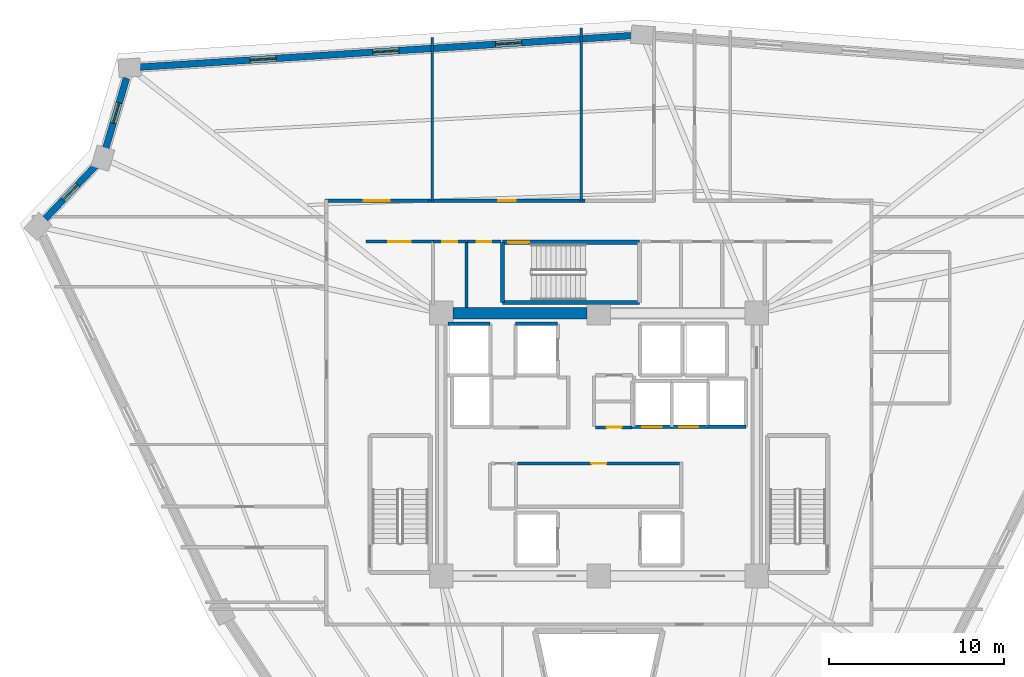
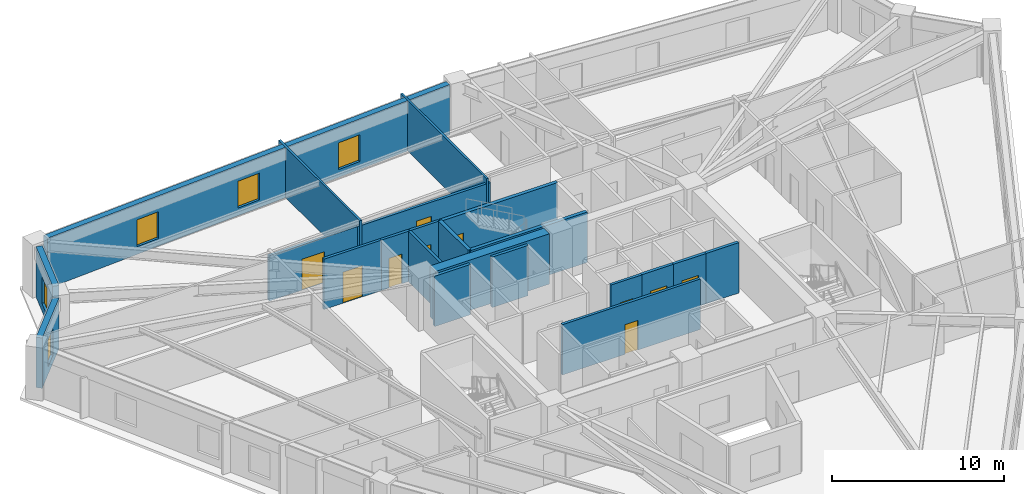
# One storey, part 5 of 8: 22 walls, 10 doors, 5 windows, 15 openings.
"""IFC4 building model written with IfcOpenShell, lengths in metres."""

from ifc_helpers import new_model, si_unit, direction, frame, frame_2d, origin, place, context, subcontext, project, spatial, rectangle, extrude, source, transform, mapped, material, layer, layer_set, type_object, element, fill, save


model = new_model("IFC4")

# Units and contexts
model_context = context("Model", 3, precision=1e-05, world=origin(), true_north=direction((0.0, 1.0)))
body_context = subcontext(model_context, "Body", "Model", "MODEL_VIEW")
ifc_project = project(units=[si_unit("LENGTHUNIT", "METRE"), si_unit("AREAUNIT", "SQUARE_METRE"), si_unit("VOLUMEUNIT", "CUBIC_METRE"), si_unit("PLANEANGLEUNIT", "RADIAN"), si_unit("MASSUNIT", "GRAM", prefix="KILO")], contexts=[model_context])

# Site, building, storey
site_placement = place(None, origin())
site = spatial("IfcSite", under=ifc_project, at=site_placement, CompositionType="ELEMENT")
building_placement = place(site_placement, origin())
building = spatial("IfcBuilding", under=site, at=building_placement, Name="Liaohun Quay Tower", CompositionType="ELEMENT")
storey_placement = place(building_placement, frame((0.0, 0.0, 247.5)))
storey = spatial("IfcBuildingStorey", under=building, at=storey_placement, Name="L64", CompositionType="ELEMENT", Elevation=247.5)

# Wall
ifc_material_1 = material(Name="Concrete C55", Category="concrete")
ifc_layer_1 = layer(ifc_material_1, 0.64990234375, Name="Concrete C55", Category="concrete")
ifc_layer_set_1 = layer_set([ifc_layer_1], Name="Concrete C55")
wall_type_1 = type_object("IfcWallType", Name="WAL-COR-Z3", PredefinedType="SHEAR", material=ifc_layer_set_1)
wall_1_placement = place(storey_placement, frame((51.675048828125, 61.5, 0.0), z_axis=(0.0, 0.0, 1.0), x_axis=(1.0, 0.0, 0.0)))
element("IfcWall", 1, at=wall_1_placement, inside=storey, type_object=wall_type_1, Name="L64 Central Core Shear Wall N-W", PredefinedType="SHEAR", context=body_context, shape_type="SweptSolid", body=[
    extrude(rectangle(XDim=7.64990234375, YDim=0.64990234375, at=frame_2d((3.824951171875, 0.0))), origin(), (0.0, 0.0, 1.0), 3.570068359375),
])

# Wall, openings, windows
ifc_material_2 = material(Name="Precast concrete C50 insulated sandwich", Category="concrete")
ifc_layer_2 = layer(ifc_material_2, 0.3798828125, Name="Precast concrete C50 insulated sandwich", Category="concrete")
ifc_layer_set_2 = layer_set([ifc_layer_2], Name="Precast concrete C50 insulated sandwich")
wall_type_2 = type_object("IfcWallType", Name="WAL-EXT-Z34", PredefinedType="SOLIDWALL", material=ifc_layer_set_2)
wall_2_placement = place(storey_placement, frame((61.85009765625, 77.3310546875, 0.0), z_axis=(0.0, 0.0, 1.0), x_axis=(-0.997946898195, -0.064046767155, 0.0)))
wall_2 = element("IfcWall", 2, at=wall_2_placement, inside=storey, type_object=wall_type_2, Name="L64 Brutalist Precast Pier Wall 07", PredefinedType="SOLIDWALL", context=body_context, shape_type="SweptSolid", body=[
    extrude(rectangle(XDim=28.07470703125, YDim=0.3798828125, at=frame_2d((14.037353515625, 0.0))), origin(), (0.0, 0.0, 1.0), 3.570068359375),
])
shared_shape_1 = source(origin(), body_context, "Body", "SweptSolid", [
    extrude(rectangle(XDim=1.5, YDim=1.89990234375, at=frame_2d((0.75, 0.949951171875))), frame((0.0, 0.199951171875, 0.0), z_axis=(0.0, -1.0, 0.0), x_axis=(1.0, 0.0, 0.0)), (0.0, 0.0, 1.0), 0.39990234375),
])
opening_1_placement = place(wall_2_placement, frame((6.26904296875, 0.0, 0.550048828125)))
opening_1 = element("IfcOpeningElement", 3, at=opening_1_placement, cuts=wall_2, Name="Opening W03", PredefinedType="OPENING", context=body_context, shape_type="MappedRepresentation", body=[
    mapped(shared_shape_1, transform((0.0, 0.0, 0.0), x_axis=(1.0, 0.0, 0.0), y_axis=(0.0, 1.0, 0.0), z_axis=(0.0, 0.0, 1.0), scale=1.0)),
])
opening_2_placement = place(wall_2_placement, frame((13.287109375, 0.0, 0.550048828125)))
opening_2 = element("IfcOpeningElement", 4, at=opening_2_placement, cuts=wall_2, Name="Opening W03", PredefinedType="OPENING", context=body_context, shape_type="MappedRepresentation", body=[
    mapped(shared_shape_1, transform((0.0, 0.0, 0.0), x_axis=(1.0, 0.0, 0.0), y_axis=(0.0, 1.0, 0.0), z_axis=(0.0, 0.0, 1.0), scale=1.0)),
])
opening_3_placement = place(wall_2_placement, frame((20.305908203125, 0.0, 0.550048828125)))
opening_3 = element("IfcOpeningElement", 5, at=opening_3_placement, cuts=wall_2, Name="Opening W03", PredefinedType="OPENING", context=body_context, shape_type="MappedRepresentation", body=[
    mapped(shared_shape_1, transform((0.0, 0.0, 0.0), x_axis=(1.0, 0.0, 0.0), y_axis=(0.0, 1.0, 0.0), z_axis=(0.0, 0.0, 1.0), scale=1.0)),
])
ifc_material_3 = material(Name="Triple Low-E argon glazing in thermally broken aluminium", Category="aluminium")
window_type_1 = type_object("IfcWindowType", Name="WIN-PUN-Z3", PartitioningType="DOUBLE_PANEL_VERTICAL", PredefinedType="WINDOW", material=ifc_material_3)
shared_shape_2 = source(origin(), body_context, "Body", "SweptSolid", [
    extrude(rectangle(XDim=1.5, YDim=1.89990234375, at=frame_2d((0.75, 0.949951171875))), frame((0.0, 0.030029296875, 0.0), z_axis=(0.0, -1.0, 0.0), x_axis=(1.0, 0.0, 0.0)), (0.0, 0.0, 1.0), 0.06005859375),
])
window_1_placement = place(opening_1_placement, origin())
window_1 = element("IfcWindow", 6, at=window_1_placement, inside=storey, type_object=window_type_1, Name="L64 Recessed Cold-Climate Punched Window 07-1", OverallHeight=1.89990234375, OverallWidth=1.5, PartitioningType="DOUBLE_PANEL_VERTICAL", PredefinedType="WINDOW", context=body_context, shape_type="MappedRepresentation", body=[
    mapped(shared_shape_2, transform((0.0, 0.0, 0.0), x_axis=(1.0, 0.0, 0.0), y_axis=(0.0, 1.0, 0.0), z_axis=(0.0, 0.0, 1.0), scale=1.0)),
])
fill(opening_1, window_1)
window_2_placement = place(opening_2_placement, origin())
window_2 = element("IfcWindow", 7, at=window_2_placement, inside=storey, type_object=window_type_1, Name="L64 Recessed Cold-Climate Punched Window 07-2", OverallHeight=1.89990234375, OverallWidth=1.5, PartitioningType="DOUBLE_PANEL_VERTICAL", PredefinedType="WINDOW", context=body_context, shape_type="MappedRepresentation", body=[
    mapped(shared_shape_2, transform((0.0, 0.0, 0.0), x_axis=(1.0, 0.0, 0.0), y_axis=(0.0, 1.0, 0.0), z_axis=(0.0, 0.0, 1.0), scale=1.0)),
])
fill(opening_2, window_2)
window_3_placement = place(opening_3_placement, origin())
window_3 = element("IfcWindow", 8, at=window_3_placement, inside=storey, type_object=window_type_1, Name="L64 Recessed Cold-Climate Punched Window 07-3", OverallHeight=1.89990234375, OverallWidth=1.5, PartitioningType="DOUBLE_PANEL_VERTICAL", PredefinedType="WINDOW", context=body_context, shape_type="MappedRepresentation", body=[
    mapped(shared_shape_2, transform((0.0, 0.0, 0.0), x_axis=(1.0, 0.0, 0.0), y_axis=(0.0, 1.0, 0.0), z_axis=(0.0, 0.0, 1.0), scale=1.0)),
])
fill(opening_3, window_3)

# Wall, opening, window
wall_3_placement = place(storey_placement, frame((33.044921875, 74.904052734375, 0.0), z_axis=(0.0, 0.0, 1.0), x_axis=(-0.282772261865, -0.959187076602, 0.0)))
wall_3 = element("IfcWall", 9, at=wall_3_placement, inside=storey, type_object=wall_type_2, Name="L64 Brutalist Precast Pier Wall 08", PredefinedType="SOLIDWALL", context=body_context, shape_type="SweptSolid", body=[
    extrude(rectangle(XDim=4.144287109375, YDim=0.3798828125, at=frame_2d((2.072265625, 0.0))), origin(), (0.0, 0.0, 1.0), 3.570068359375),
])
shared_shape_3 = source(origin(), body_context, "Body", "SweptSolid", [
    extrude(rectangle(XDim=1.199951171875, YDim=1.89990234375, at=frame_2d((0.60009765625, 0.949951171875))), frame((0.0, 0.199951171875, 0.0), z_axis=(0.0, -1.0, 0.0), x_axis=(1.0, 0.0, 0.0)), (0.0, 0.0, 1.0), 0.39990234375),
])
opening_4_placement = place(wall_3_placement, frame((1.471923828125, 0.0, 0.550048828125)))
opening_4 = element("IfcOpeningElement", 10, at=opening_4_placement, cuts=wall_3, Name="Opening W05", PredefinedType="OPENING", context=body_context, shape_type="MappedRepresentation", body=[
    mapped(shared_shape_3, transform((0.0, 0.0, 0.0), x_axis=(1.0, 0.0, 0.0), y_axis=(0.0, 1.0, 0.0), z_axis=(0.0, 0.0, 1.0), scale=1.0)),
])
ifc_material_4 = material(Name="Triple Low-E corner notch glazing", Category="glass")
window_type_2 = type_object("IfcWindowType", Name="WIN-NOTCH", PartitioningType="SINGLE_PANEL", PredefinedType="WINDOW", material=ifc_material_4)
shared_shape_4 = source(origin(), body_context, "Body", "SweptSolid", [
    extrude(rectangle(XDim=1.199951171875, YDim=1.89990234375, at=frame_2d((0.60009765625, 0.949951171875))), frame((0.0, 0.030029296875, 0.0), z_axis=(0.0, -1.0, 0.0), x_axis=(1.0, 0.0, 0.0)), (0.0, 0.0, 1.0), 0.06005859375),
])
window_4_placement = place(opening_4_placement, origin())
window_4 = element("IfcWindow", 11, at=window_4_placement, inside=storey, type_object=window_type_2, Name="L64 Corner Notch Window W05-08", OverallHeight=1.89990234375, OverallWidth=1.199951171875, PartitioningType="SINGLE_PANEL", PredefinedType="WINDOW", context=body_context, shape_type="MappedRepresentation", body=[
    mapped(shared_shape_4, transform((0.0, 0.0, 0.0), x_axis=(1.0, 0.0, 0.0), y_axis=(0.0, 1.0, 0.0), z_axis=(0.0, 0.0, 1.0), scale=1.0)),
])
fill(opening_4, window_4)

wall_4_placement = place(storey_placement, frame((31.27490234375, 69.89306640625, 0.0), z_axis=(0.0, 0.0, 1.0), x_axis=(-0.689387760278, -0.724392515131, 0.0)))
wall_4 = element("IfcWall", 12, at=wall_4_placement, inside=storey, type_object=wall_type_2, Name="L64 Brutalist Precast Pier Wall 09", PredefinedType="SOLIDWALL", context=body_context, shape_type="SweptSolid", body=[
    extrude(rectangle(XDim=4.14990234375, YDim=0.3798828125, at=frame_2d((2.074951171875, 0.0))), origin(), (0.0, 0.0, 1.0), 3.570068359375),
])
opening_5_placement = place(wall_4_placement, frame((1.47509765625, 0.0, 0.550048828125)))
opening_5 = element("IfcOpeningElement", 13, at=opening_5_placement, cuts=wall_4, Name="Opening W05", PredefinedType="OPENING", context=body_context, shape_type="MappedRepresentation", body=[
    mapped(shared_shape_3, transform((0.0, 0.0, 0.0), x_axis=(1.0, 0.0, 0.0), y_axis=(0.0, 1.0, 0.0), z_axis=(0.0, 0.0, 1.0), scale=1.0)),
])
window_5_placement = place(opening_5_placement, origin())
window_5 = element("IfcWindow", 14, at=window_5_placement, inside=storey, type_object=window_type_2, Name="L64 Corner Notch Window W05-09", OverallHeight=1.89990234375, OverallWidth=1.199951171875, PartitioningType="SINGLE_PANEL", PredefinedType="WINDOW", context=body_context, shape_type="MappedRepresentation", body=[
    mapped(shared_shape_4, transform((0.0, 0.0, 0.0), x_axis=(1.0, 0.0, 0.0), y_axis=(0.0, 1.0, 0.0), z_axis=(0.0, 0.0, 1.0), scale=1.0)),
])
fill(opening_5, window_5)

# Wall, opening, door
ifc_material_5 = material(Name="Autoclaved aerated concrete blockwork", Category="masonry")
ifc_layer_3 = layer(ifc_material_5, 0.179931640625, Name="Autoclaved aerated concrete blockwork", Category="masonry")
ifc_layer_set_3 = layer_set([ifc_layer_3], Name="Autoclaved aerated concrete blockwork")
wall_type_3 = type_object("IfcWallType", Name="WAL-PRT-COR", PredefinedType="PARTITIONING", material=ifc_layer_set_3)
wall_5_placement = place(storey_placement, frame((55.3701171875, 52.919921875, 0.0), z_axis=(0.0, 0.0, 1.0), x_axis=(1.0, 0.0, 0.0)))
wall_5 = element("IfcWall", 15, at=wall_5_placement, inside=storey, type_object=wall_type_3, Name="L64 Interior Partition Wall 001", PredefinedType="PARTITIONING", context=body_context, shape_type="SweptSolid", body=[
    extrude(rectangle(XDim=9.239990234375, YDim=0.179931640625, at=frame_2d((4.6201171875, 0.0))), origin(), (0.0, 0.0, 1.0), 3.570068359375),
])
shared_shape_5 = source(origin(), body_context, "Body", "SweptSolid", [
    extrude(rectangle(XDim=0.85009765625, YDim=2.10009765625, at=frame_2d((0.425048828125, 1.050048828125))), frame((0.0, 0.099853515625, 0.0), z_axis=(0.0, -1.0, 0.0), x_axis=(1.0, 0.0, 0.0)), (0.0, 0.0, 1.0), 0.199951171875),
])
opening_6_placement = place(wall_5_placement, frame((4.205078125, 0.0, 0.0)))
opening_6 = element("IfcOpeningElement", 16, at=opening_6_placement, cuts=wall_5, Name="Opening AD1", PredefinedType="OPENING", context=body_context, shape_type="MappedRepresentation", body=[
    mapped(shared_shape_5, transform((0.0, 0.0, 0.0), x_axis=(1.0, 0.0, 0.0), y_axis=(0.0, 1.0, 0.0), z_axis=(0.0, 0.0, 1.0), scale=1.0)),
])
ifc_material_6 = material(Name="Steel riser inspection fire door", Category="steel")
door_type_1 = type_object("IfcDoorType", Name="DOR-SHF-850", OperationType="NOTDEFINED", PredefinedType="DOOR", material=ifc_material_6)
shared_shape_6 = source(origin(), body_context, "Body", "SweptSolid", [
    extrude(rectangle(XDim=0.85009765625, YDim=2.10009765625, at=frame_2d((0.425048828125, 1.050048828125))), frame((0.0, 0.02490234375, 0.0), z_axis=(0.0, -1.0, 0.0), x_axis=(1.0, 0.0, 0.0)), (0.0, 0.0, 1.0), 0.050048828125),
])
door_1_placement = place(opening_6_placement, origin())
door_1 = element("IfcDoor", 17, at=door_1_placement, inside=storey, type_object=door_type_1, Name="L64 Core Tenant Storage and Archive Room Door", OperationType="SINGLE_SWING_LEFT", OverallHeight=2.10009765625, OverallWidth=0.85009765625, PredefinedType="DOOR", context=body_context, shape_type="MappedRepresentation", body=[
    mapped(shared_shape_6, transform((0.0, 0.0, 0.0), x_axis=(1.0, 0.0, 0.0), y_axis=(0.0, 1.0, 0.0), z_axis=(0.0, 0.0, 1.0), scale=1.0)),
])
fill(opening_6, door_1)

wall_6_placement = place(storey_placement, frame((59.81005859375, 54.97998046875, 0.0), z_axis=(0.0, 0.0, 1.0), x_axis=(1.0, 0.0, 0.0)))
wall_6 = element("IfcWall", 18, at=wall_6_placement, inside=storey, type_object=wall_type_3, Name="L64 Interior Partition Wall 003", PredefinedType="PARTITIONING", context=body_context, shape_type="SweptSolid", body=[
    extrude(rectangle(XDim=2.08984375, YDim=0.179931640625, at=frame_2d((1.044921875, 0.0))), origin(), (0.0, 0.0, 1.0), 3.570068359375),
])
opening_7_placement = place(wall_6_placement, frame((0.635009765625, 0.0, 0.0)))
opening_7 = element("IfcOpeningElement", 19, at=opening_7_placement, cuts=wall_6, Name="Opening AD1", PredefinedType="OPENING", context=body_context, shape_type="MappedRepresentation", body=[
    mapped(shared_shape_5, transform((0.0, 0.0, 0.0), x_axis=(1.0, 0.0, 0.0), y_axis=(0.0, 1.0, 0.0), z_axis=(0.0, 0.0, 1.0), scale=1.0)),
])
door_2_placement = place(opening_7_placement, origin())
door_2 = element("IfcDoor", 20, at=door_2_placement, inside=storey, type_object=door_type_1, Name="L64 Electrical Riser Room Door", OperationType="SINGLE_SWING_LEFT", OverallHeight=2.10009765625, OverallWidth=0.85009765625, PredefinedType="DOOR", context=body_context, shape_type="MappedRepresentation", body=[
    mapped(shared_shape_6, transform((0.0, 0.0, 0.0), x_axis=(1.0, 0.0, 0.0), y_axis=(0.0, 1.0, 0.0), z_axis=(0.0, 0.0, 1.0), scale=1.0)),
])
fill(opening_7, door_2)

wall_7_placement = place(storey_placement, frame((50.5400390625, 65.580078125, 0.0), z_axis=(0.0, 0.0, 1.0), x_axis=(1.0, 0.0, 0.0)))
wall_7 = element("IfcWall", 21, at=wall_7_placement, inside=storey, type_object=wall_type_3, Name="L64 Interior Partition Wall 009", PredefinedType="PARTITIONING", context=body_context, shape_type="SweptSolid", body=[
    extrude(rectangle(XDim=1.89990234375, YDim=0.179931640625, at=frame_2d((0.949951171875, 0.0))), origin(), (0.0, 0.0, 1.0), 3.570068359375),
])
opening_8_placement = place(wall_7_placement, frame((0.52490234375, 0.0, 0.0)))
opening_8 = element("IfcOpeningElement", 22, at=opening_8_placement, cuts=wall_7, Name="Opening AD1", PredefinedType="OPENING", context=body_context, shape_type="MappedRepresentation", body=[
    mapped(shared_shape_5, transform((0.0, 0.0, 0.0), x_axis=(1.0, 0.0, 0.0), y_axis=(0.0, 1.0, 0.0), z_axis=(0.0, 0.0, 1.0), scale=1.0)),
])
door_3_placement = place(opening_8_placement, origin())
door_3 = element("IfcDoor", 23, at=door_3_placement, inside=storey, type_object=door_type_1, Name="L64 North-West Riser Closet Door", OperationType="SINGLE_SWING_LEFT", OverallHeight=2.10009765625, OverallWidth=0.85009765625, PredefinedType="DOOR", context=body_context, shape_type="MappedRepresentation", body=[
    mapped(shared_shape_6, transform((0.0, 0.0, 0.0), x_axis=(1.0, 0.0, 0.0), y_axis=(0.0, 1.0, 0.0), z_axis=(0.0, 0.0, 1.0), scale=1.0)),
])
fill(opening_8, door_3)

wall_8_placement = place(storey_placement, frame((52.47998046875, 65.580078125, 0.0), z_axis=(0.0, 0.0, 1.0), x_axis=(1.0, 0.0, 0.0)))
wall_8 = element("IfcWall", 24, at=wall_8_placement, inside=storey, type_object=wall_type_3, Name="L64 Interior Partition Wall 010", PredefinedType="PARTITIONING", context=body_context, shape_type="SweptSolid", body=[
    extrude(rectangle(XDim=1.929931640625, YDim=0.179931640625, at=frame_2d((0.96484375, 0.0))), origin(), (0.0, 0.0, 1.0), 3.570068359375),
])
opening_9_placement = place(wall_8_placement, frame((0.5400390625, 0.0, 0.0)))
opening_9 = element("IfcOpeningElement", 25, at=opening_9_placement, cuts=wall_8, Name="Opening AD1", PredefinedType="OPENING", context=body_context, shape_type="MappedRepresentation", body=[
    mapped(shared_shape_5, transform((0.0, 0.0, 0.0), x_axis=(1.0, 0.0, 0.0), y_axis=(0.0, 1.0, 0.0), z_axis=(0.0, 0.0, 1.0), scale=1.0)),
])
door_4_placement = place(opening_9_placement, origin())
door_4 = element("IfcDoor", 26, at=door_4_placement, inside=storey, type_object=door_type_1, Name="L64 North-West Print Closet Door", OperationType="SINGLE_SWING_RIGHT", OverallHeight=2.10009765625, OverallWidth=0.85009765625, PredefinedType="DOOR", context=body_context, shape_type="MappedRepresentation", body=[
    mapped(shared_shape_6, transform((0.0, 0.0, 0.0), x_axis=(1.0, 0.0, 0.0), y_axis=(0.0, 1.0, 0.0), z_axis=(0.0, 0.0, 1.0), scale=1.0)),
])
fill(opening_9, door_4)

wall_9_placement = place(storey_placement, frame((46.699951171875, 65.580078125, 0.0), z_axis=(0.0, 0.0, 1.0), x_axis=(1.0, 0.0, 0.0)))
wall_9 = element("IfcWall", 27, at=wall_9_placement, inside=storey, type_object=wall_type_3, Name="L64 Interior Partition Wall 014", PredefinedType="PARTITIONING", context=body_context, shape_type="SweptSolid", body=[
    extrude(rectangle(XDim=3.840087890625, YDim=0.179931640625, at=frame_2d((1.919921875, 0.0))), origin(), (0.0, 0.0, 1.0), 3.570068359375),
])
shared_shape_7 = source(origin(), body_context, "Body", "SweptSolid", [
    extrude(rectangle(XDim=1.300048828125, YDim=2.199951171875, at=frame_2d((0.64990234375, 1.10009765625))), frame((0.0, 0.099853515625, 0.0), z_axis=(0.0, -1.0, 0.0), x_axis=(1.0, 0.0, 0.0)), (0.0, 0.0, 1.0), 0.199951171875),
])
opening_10_placement = place(wall_9_placement, frame((1.27001953125, 0.0, 0.0)))
opening_10 = element("IfcOpeningElement", 28, at=opening_10_placement, cuts=wall_9, Name="Opening FD1", PredefinedType="OPENING", context=body_context, shape_type="MappedRepresentation", body=[
    mapped(shared_shape_7, transform((0.0, 0.0, 0.0), x_axis=(1.0, 0.0, 0.0), y_axis=(0.0, 1.0, 0.0), z_axis=(0.0, 0.0, 1.0), scale=1.0)),
])
ifc_material_7 = material(Name="Galvanised steel smokeproof fire door", Category="steel")
door_type_2 = type_object("IfcDoorType", Name="DOR-FFL-1300", OperationType="NOTDEFINED", PredefinedType="DOOR", material=ifc_material_7)
shared_shape_8 = source(origin(), body_context, "Body", "SweptSolid", [
    extrude(rectangle(XDim=1.300048828125, YDim=2.199951171875, at=frame_2d((0.64990234375, 1.10009765625))), frame((0.0, 0.02490234375, 0.0), z_axis=(0.0, -1.0, 0.0), x_axis=(1.0, 0.0, 0.0)), (0.0, 0.0, 1.0), 0.050048828125),
])
door_5_placement = place(opening_10_placement, origin())
door_5 = element("IfcDoor", 29, at=door_5_placement, inside=storey, type_object=door_type_2, Name="L64 West Core Vestibule Door", OperationType="SINGLE_SWING_RIGHT", OverallHeight=2.199951171875, OverallWidth=1.300048828125, PredefinedType="DOOR", context=body_context, shape_type="MappedRepresentation", body=[
    mapped(shared_shape_8, transform((0.0, 0.0, 0.0), x_axis=(1.0, 0.0, 0.0), y_axis=(0.0, 1.0, 0.0), z_axis=(0.0, 0.0, 1.0), scale=1.0)),
])
fill(opening_10, door_5)

wall_10_placement = place(storey_placement, frame((50.284912109375, 67.909912109375, 0.0), z_axis=(0.0, 0.0, 1.0), x_axis=(1.0, 0.0, 0.0)))
wall_10 = element("IfcWall", 30, at=wall_10_placement, inside=storey, type_object=wall_type_3, Name="L64 Interior Partition Wall 020", PredefinedType="PARTITIONING", context=body_context, shape_type="SweptSolid", body=[
    extrude(rectangle(XDim=8.93017578125, YDim=0.179931640625, at=frame_2d((4.465087890625, 0.0))), origin(), (0.0, 0.0, 1.0), 3.205078125),
])
shared_shape_9 = source(origin(), body_context, "Body", "SweptSolid", [
    extrude(rectangle(XDim=1.0, YDim=2.199951171875, at=frame_2d((0.5, 1.10009765625))), frame((0.0, 0.099853515625, 0.0), z_axis=(0.0, -1.0, 0.0), x_axis=(1.0, 0.0, 0.0)), (0.0, 0.0, 1.0), 0.199951171875),
])
opening_11_placement = place(wall_10_placement, frame((3.965087890625, 0.0, 0.0)))
opening_11 = element("IfcOpeningElement", 31, at=opening_11_placement, cuts=wall_10, Name="Opening OD1", PredefinedType="OPENING", context=body_context, shape_type="MappedRepresentation", body=[
    mapped(shared_shape_9, transform((0.0, 0.0, 0.0), x_axis=(1.0, 0.0, 0.0), y_axis=(0.0, 1.0, 0.0), z_axis=(0.0, 0.0, 1.0), scale=1.0)),
])
ifc_material_8 = material(Name="Solid-core oak veneer timber leaf in steel frame", Category="steel")
door_type_3 = type_object("IfcDoorType", Name="DOR-OFF-1000", OperationType="NOTDEFINED", PredefinedType="DOOR", material=ifc_material_8)
shared_shape_10 = source(origin(), body_context, "Body", "SweptSolid", [
    extrude(rectangle(XDim=1.0, YDim=2.199951171875, at=frame_2d((0.5, 1.10009765625))), frame((0.0, 0.02490234375, 0.0), z_axis=(0.0, -1.0, 0.0), x_axis=(1.0, 0.0, 0.0)), (0.0, 0.0, 1.0), 0.050048828125),
])
door_6_placement = place(opening_11_placement, origin())
door_6 = element("IfcDoor", 32, at=door_6_placement, inside=storey, type_object=door_type_3, Name="L64 Occupational Wellness Clinic 05 Door", OperationType="SINGLE_SWING_RIGHT", OverallHeight=2.199951171875, OverallWidth=1.0, PredefinedType="DOOR", context=body_context, shape_type="MappedRepresentation", body=[
    mapped(shared_shape_10, transform((0.0, 0.0, 0.0), x_axis=(1.0, 0.0, 0.0), y_axis=(0.0, 1.0, 0.0), z_axis=(0.0, 0.0, 1.0), scale=1.0)),
])
fill(opening_11, door_6)

wall_11_placement = place(storey_placement, frame((44.3701171875, 67.909912109375, 0.0), z_axis=(0.0, 0.0, 1.0), x_axis=(1.0, 0.0, 0.0)))
wall_11 = element("IfcWall", 33, at=wall_11_placement, inside=storey, type_object=wall_type_3, Name="L64 Interior Partition Wall 021", PredefinedType="PARTITIONING", context=body_context, shape_type="SweptSolid", body=[
    extrude(rectangle(XDim=5.914794921875, YDim=0.179931640625, at=frame_2d((2.95751953125, 0.0))), origin(), (0.0, 0.0, 1.0), 3.205078125),
])
shared_shape_11 = source(origin(), body_context, "Body", "SweptSolid", [
    extrude(rectangle(XDim=1.5, YDim=2.199951171875, at=frame_2d((0.75, 1.10009765625))), frame((0.0, 0.099853515625, 0.0), z_axis=(0.0, -1.0, 0.0), x_axis=(1.0, 0.0, 0.0)), (0.0, 0.0, 1.0), 0.199951171875),
])
opening_12_placement = place(wall_11_placement, frame((2.20703125, 0.0, 0.0)))
opening_12 = element("IfcOpeningElement", 34, at=opening_12_placement, cuts=wall_11, Name="Opening OD2", PredefinedType="OPENING", context=body_context, shape_type="MappedRepresentation", body=[
    mapped(shared_shape_11, transform((0.0, 0.0, 0.0), x_axis=(1.0, 0.0, 0.0), y_axis=(0.0, 1.0, 0.0), z_axis=(0.0, 0.0, 1.0), scale=1.0)),
])
ifc_material_9 = material(Name="Acoustic oak veneer double door")
door_type_4 = type_object("IfcDoorType", Name="DOR-OFF-1500", OperationType="DOUBLE_DOOR_SINGLE_SWING", PredefinedType="DOOR", material=ifc_material_9)
shared_shape_12 = source(origin(), body_context, "Body", "SweptSolid", [
    extrude(rectangle(XDim=1.5, YDim=2.199951171875, at=frame_2d((0.75, 1.10009765625))), frame((0.0, 0.02490234375, 0.0), z_axis=(0.0, -1.0, 0.0), x_axis=(1.0, 0.0, 0.0)), (0.0, 0.0, 1.0), 0.050048828125),
])
door_7_placement = place(opening_12_placement, origin())
door_7 = element("IfcDoor", 35, at=door_7_placement, inside=storey, type_object=door_type_4, Name="L64 Staff Tea Kitchen and Pantry 06 Door", OperationType="DOUBLE_DOOR_SINGLE_SWING", OverallHeight=2.199951171875, OverallWidth=1.5, PredefinedType="DOOR", context=body_context, shape_type="MappedRepresentation", body=[
    mapped(shared_shape_12, transform((0.0, 0.0, 0.0), x_axis=(1.0, 0.0, 0.0), y_axis=(0.0, 1.0, 0.0), z_axis=(0.0, 0.0, 1.0), scale=1.0)),
])
fill(opening_12, door_7)

# Walls
wall_12_placement = place(storey_placement, frame((52.43994140625, 61.824951171875, 0.0), z_axis=(0.0, 0.0, 1.0), x_axis=(0.0, 1.0, 0.0)))
element("IfcWall", 36, at=wall_12_placement, inside=storey, type_object=wall_type_3, Name="L64 Interior Partition Wall 041", PredefinedType="PARTITIONING", context=body_context, shape_type="SweptSolid", body=[
    extrude(rectangle(XDim=3.755126953125, YDim=0.179931640625, at=frame_2d((1.87744140625, 0.0))), origin(), (0.0, 0.0, 1.0), 3.570068359375),
])
ifc_material_10 = material(Name="Gypsum board on twin steel studs", Category="steel")
ifc_layer_4 = layer(ifc_material_10, 0.139892578125, Name="Gypsum board on twin steel studs", Category="steel")
ifc_layer_set_4 = layer_set([ifc_layer_4], Name="Gypsum board on twin steel studs")
wall_type_4 = type_object("IfcWallType", Name="WAL-PRT-OFF", PredefinedType="PARTITIONING", material=ifc_layer_set_4)
wall_13_placement = place(storey_placement, frame((50.5, 67.81005859375, 0.0), z_axis=(0.0, 0.0, 1.0), x_axis=(0.0, 1.0, 0.0)))
element("IfcWall", 37, at=wall_13_placement, inside=storey, type_object=wall_type_4, Name="L64 Interior Partition Wall 062", PredefinedType="PARTITIONING", context=body_context, shape_type="SweptSolid", body=[
    extrude(rectangle(XDim=9.423828125, YDim=0.139892578125, at=frame_2d((4.7119140625, 0.0))), origin(), (0.0, 0.0, 1.0), 3.570068359375),
])
wall_14_placement = place(storey_placement, frame((59.0, 67.81005859375, 0.0), z_axis=(0.0, 0.0, 1.0), x_axis=(0.0, 1.0, 0.0)))
element("IfcWall", 38, at=wall_14_placement, inside=storey, type_object=wall_type_4, Name="L64 Interior Partition Wall 063", PredefinedType="PARTITIONING", context=body_context, shape_type="SweptSolid", body=[
    extrude(rectangle(XDim=9.968994140625, YDim=0.139892578125, at=frame_2d((4.984375, 0.0))), origin(), (0.0, 0.0, 1.0), 3.570068359375),
])
ifc_material_11 = material(Name="Concrete C50", Category="concrete")
ifc_layer_5 = layer(ifc_material_11, 0.239990234375, Name="Concrete C50", Category="concrete")
ifc_layer_set_5 = layer_set([ifc_layer_5], Name="Concrete C50")
wall_type_5 = type_object("IfcWallType", Name="WAL-SHF-200", PredefinedType="SOLIDWALL", material=ifc_layer_set_5)
wall_15_placement = place(storey_placement, frame((54.5, 62.10009765625, 0.0), z_axis=(0.0, 0.0, 1.0), x_axis=(1.0, 0.0, 0.0)))
element("IfcWall", 39, at=wall_15_placement, inside=storey, type_object=wall_type_5, Name="L64 Stairwell ST-3 Structural Core Wall S", PredefinedType="SOLIDWALL", context=body_context, shape_type="SweptSolid", body=[
    extrude(rectangle(XDim=7.820068359375, YDim=0.239990234375, at=frame_2d((3.91015625, 0.0))), origin(), (0.0, 0.0, 1.0), 3.570068359375),
])

# Wall, opening, door
wall_16_placement = place(storey_placement, frame((62.320068359375, 65.5400390625, 0.0), z_axis=(0.0, 0.0, 1.0), x_axis=(-1.0, 0.0, 0.0)))
wall_16 = element("IfcWall", 40, at=wall_16_placement, inside=storey, type_object=wall_type_5, Name="L64 Stairwell ST-3 Structural Core Wall N", PredefinedType="SOLIDWALL", context=body_context, shape_type="SweptSolid", body=[
    extrude(rectangle(XDim=7.820068359375, YDim=0.239990234375, at=frame_2d((3.91015625, 0.0))), origin(), (0.0, 0.0, 1.0), 3.570068359375),
])
shared_shape_13 = source(origin(), body_context, "Body", "SweptSolid", [
    extrude(rectangle(XDim=1.199951171875, YDim=2.199951171875, at=frame_2d((0.60009765625, 1.10009765625))), frame((0.0, 0.1298828125, 0.0), z_axis=(0.0, -1.0, 0.0), x_axis=(1.0, 0.0, 0.0)), (0.0, 0.0, 1.0), 0.260009765625),
])
opening_13_placement = place(wall_16_placement, frame((6.300048828125, 0.0, 0.0)))
opening_13 = element("IfcOpeningElement", 41, at=opening_13_placement, cuts=wall_16, Name="Opening SD1", PredefinedType="OPENING", context=body_context, shape_type="MappedRepresentation", body=[
    mapped(shared_shape_13, transform((0.0, 0.0, 0.0), x_axis=(1.0, 0.0, 0.0), y_axis=(0.0, 1.0, 0.0), z_axis=(0.0, 0.0, 1.0), scale=1.0)),
])
ifc_material_12 = material(Name="Galvanised steel fire door", Category="steel")
door_type_5 = type_object("IfcDoorType", Name="DOR-STR-1200", OperationType="NOTDEFINED", PredefinedType="DOOR", material=ifc_material_12)
shared_shape_14 = source(origin(), body_context, "Body", "SweptSolid", [
    extrude(rectangle(XDim=1.199951171875, YDim=2.199951171875, at=frame_2d((0.60009765625, 1.10009765625))), frame((0.0, 0.02490234375, 0.0), z_axis=(0.0, -1.0, 0.0), x_axis=(1.0, 0.0, 0.0)), (0.0, 0.0, 1.0), 0.050048828125),
])
door_8_placement = place(opening_13_placement, origin())
door_8 = element("IfcDoor", 42, at=door_8_placement, inside=storey, type_object=door_type_5, Name="L64 Protected Stair ST-3 Fire Door", OperationType="SINGLE_SWING_RIGHT", OverallHeight=2.199951171875, OverallWidth=1.199951171875, PredefinedType="DOOR", context=body_context, shape_type="MappedRepresentation", body=[
    mapped(shared_shape_14, transform((0.0, 0.0, 0.0), x_axis=(1.0, 0.0, 0.0), y_axis=(0.0, 1.0, 0.0), z_axis=(0.0, 0.0, 1.0), scale=1.0)),
])
fill(opening_13, door_8)

# Walls
wall_17_placement = place(storey_placement, frame((54.5, 65.5400390625, 0.0), z_axis=(0.0, 0.0, 1.0), x_axis=(0.0, -1.0, 0.0)))
element("IfcWall", 43, at=wall_17_placement, inside=storey, type_object=wall_type_5, Name="L64 Stairwell ST-3 Structural Core Wall W", PredefinedType="SOLIDWALL", context=body_context, shape_type="SweptSolid", body=[
    extrude(rectangle(XDim=3.43994140625, YDim=0.239990234375, at=frame_2d((1.719970703125, 0.0))), origin(), (0.0, 0.0, 1.0), 3.570068359375),
])
wall_18_placement = place(storey_placement, frame((57.64990234375, 60.8798828125, 0.0), z_axis=(0.0, 0.0, 1.0), x_axis=(-1.0, 0.0, 0.0)))
element("IfcWall", 44, at=wall_18_placement, inside=storey, type_object=wall_type_5, Name="L64 Lift FF-03 Hoistway Wall N", PredefinedType="SOLIDWALL", context=body_context, shape_type="SweptSolid", body=[
    extrude(rectangle(XDim=2.39990234375, YDim=0.199951171875, at=frame_2d((1.199951171875, 0.0))), origin(), (0.0, 0.0, 1.0), 3.570068359375),
])
wall_19_placement = place(storey_placement, frame((53.800048828125, 60.8798828125, 0.0), z_axis=(0.0, 0.0, 1.0), x_axis=(-1.0, 0.0, 0.0)))
element("IfcWall", 45, at=wall_19_placement, inside=storey, type_object=wall_type_5, Name="L64 Lift SH-01 Hoistway Wall N", PredefinedType="SOLIDWALL", context=body_context, shape_type="SweptSolid", body=[
    extrude(rectangle(XDim=2.400146484375, YDim=0.199951171875, at=frame_2d((1.2001953125, 0.0))), origin(), (0.0, 0.0, 1.0), 3.570068359375),
])
wall_20_placement = place(storey_placement, frame((66.199951171875, 55.0, 0.0), z_axis=(0.0, 0.0, 1.0), x_axis=(1.0, 0.0, 0.0)))
element("IfcWall", 46, at=wall_20_placement, inside=storey, type_object=wall_type_5, Name="L64 Lift SH-03 Hoistway Wall S", PredefinedType="SOLIDWALL", context=body_context, shape_type="SweptSolid", body=[
    extrude(rectangle(XDim=2.179931640625, YDim=0.199951171875, at=frame_2d((1.08984375, 0.0))), origin(), (0.0, 0.0, 1.0), 3.570068359375),
])

# Wall, opening, door
wall_21_placement = place(storey_placement, frame((61.89990234375, 55.0, 0.0), z_axis=(0.0, 0.0, 1.0), x_axis=(1.0, 0.0, 0.0)))
wall_21 = element("IfcWall", 47, at=wall_21_placement, inside=storey, type_object=wall_type_5, Name="L64 Lift PL-3A Hoistway Wall S", PredefinedType="SOLIDWALL", context=body_context, shape_type="SweptSolid", body=[
    extrude(rectangle(XDim=2.25, YDim=0.199951171875, at=frame_2d((1.125, 0.0))), origin(), (0.0, 0.0, 1.0), 3.570068359375),
])
shared_shape_15 = source(origin(), body_context, "Body", "SweptSolid", [
    extrude(rectangle(XDim=1.10009765625, YDim=2.199951171875, at=frame_2d((0.550048828125, 1.10009765625))), frame((0.0, 0.10986328125, 0.0), z_axis=(0.0, -1.0, 0.0), x_axis=(1.0, 0.0, 0.0)), (0.0, 0.0, 1.0), 0.219970703125),
])
opening_14_placement = place(wall_21_placement, frame((0.574951171875, 0.0, 0.0)))
opening_14 = element("IfcOpeningElement", 48, at=opening_14_placement, cuts=wall_21, Name="Opening LD1", PredefinedType="OPENING", context=body_context, shape_type="MappedRepresentation", body=[
    mapped(shared_shape_15, transform((0.0, 0.0, 0.0), x_axis=(1.0, 0.0, 0.0), y_axis=(0.0, 1.0, 0.0), z_axis=(0.0, 0.0, 1.0), scale=1.0)),
])
ifc_material_13 = material(Name="Brushed stainless steel landing door", Category="steel")
door_type_6 = type_object("IfcDoorType", Name="DOR-LFT-1100", OperationType="SLIDING_TO_LEFT", PredefinedType="DOOR", material=ifc_material_13)
shared_shape_16 = source(origin(), body_context, "Body", "SweptSolid", [
    extrude(rectangle(XDim=1.10009765625, YDim=2.199951171875, at=frame_2d((0.550048828125, 1.10009765625))), frame((0.0, 0.02490234375, 0.0), z_axis=(0.0, -1.0, 0.0), x_axis=(1.0, 0.0, 0.0)), (0.0, 0.0, 1.0), 0.050048828125),
])
door_9_placement = place(opening_14_placement, origin())
door_9 = element("IfcDoor", 49, at=door_9_placement, inside=storey, type_object=door_type_6, Name="L64 Lift PL-3A Sliding Landing Door", OperationType="SLIDING_TO_LEFT", OverallHeight=2.199951171875, OverallWidth=1.10009765625, PredefinedType="DOOR", context=body_context, shape_type="MappedRepresentation", body=[
    mapped(shared_shape_16, transform((0.0, 0.0, 0.0), x_axis=(1.0, 0.0, 0.0), y_axis=(0.0, 1.0, 0.0), z_axis=(0.0, 0.0, 1.0), scale=1.0)),
])
fill(opening_14, door_9)

wall_22_placement = place(storey_placement, frame((64.0, 55.0, 0.0), z_axis=(0.0, 0.0, 1.0), x_axis=(1.0, 0.0, 0.0)))
wall_22 = element("IfcWall", 50, at=wall_22_placement, inside=storey, type_object=wall_type_5, Name="L64 Lift PL-3B Hoistway Wall S", PredefinedType="SOLIDWALL", context=body_context, shape_type="SweptSolid", body=[
    extrude(rectangle(XDim=2.25, YDim=0.199951171875, at=frame_2d((1.125, 0.0))), origin(), (0.0, 0.0, 1.0), 3.570068359375),
])
opening_15_placement = place(wall_22_placement, frame((0.574951171875, 0.0, 0.0)))
opening_15 = element("IfcOpeningElement", 51, at=opening_15_placement, cuts=wall_22, Name="Opening LD1", PredefinedType="OPENING", context=body_context, shape_type="MappedRepresentation", body=[
    mapped(shared_shape_15, transform((0.0, 0.0, 0.0), x_axis=(1.0, 0.0, 0.0), y_axis=(0.0, 1.0, 0.0), z_axis=(0.0, 0.0, 1.0), scale=1.0)),
])
door_10_placement = place(opening_15_placement, origin())
door_10 = element("IfcDoor", 52, at=door_10_placement, inside=storey, type_object=door_type_6, Name="L64 Lift PL-3B Sliding Landing Door", OperationType="SLIDING_TO_LEFT", OverallHeight=2.199951171875, OverallWidth=1.10009765625, PredefinedType="DOOR", context=body_context, shape_type="MappedRepresentation", body=[
    mapped(shared_shape_16, transform((0.0, 0.0, 0.0), x_axis=(1.0, 0.0, 0.0), y_axis=(0.0, 1.0, 0.0), z_axis=(0.0, 0.0, 1.0), scale=1.0)),
])
fill(opening_15, door_10)

save(model, "model.ifc")
